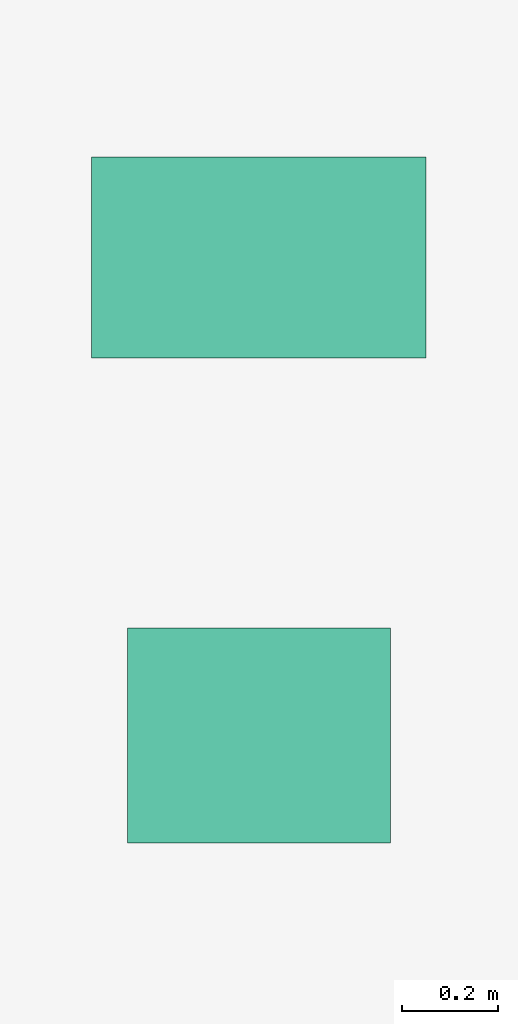
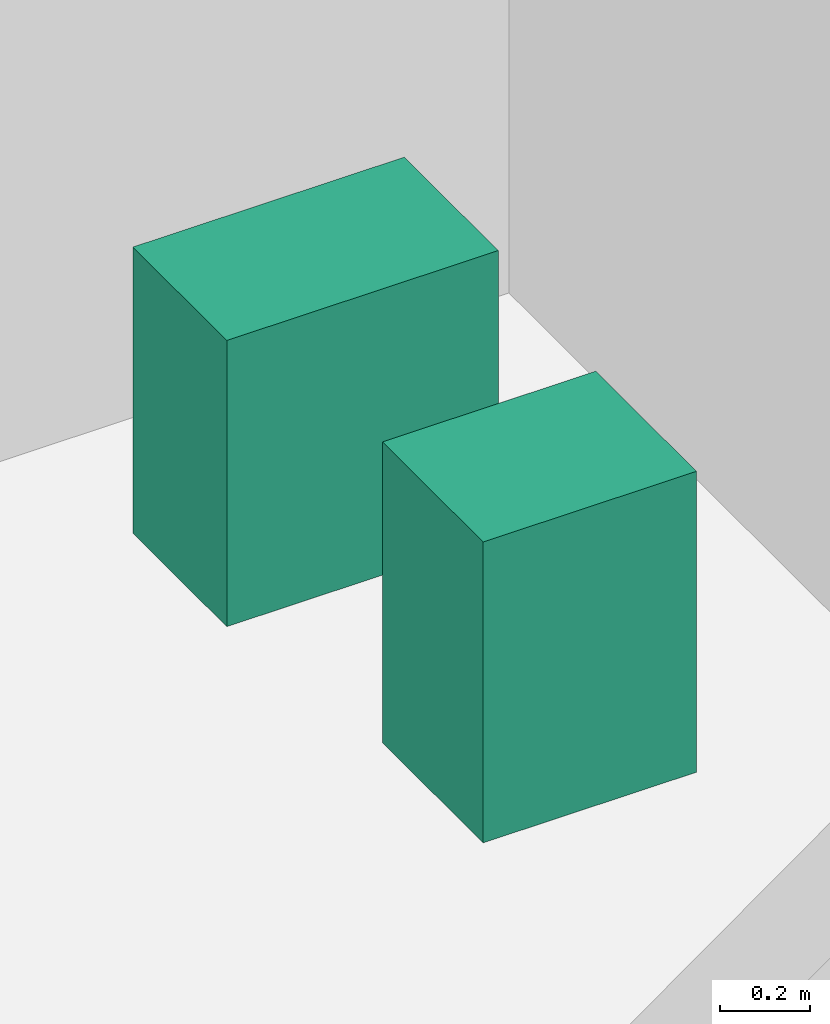
# One storey, part 27 of 27: 2 sanitary terminals.
"""IFC4 building model written with IfcOpenShell, lengths in metres."""

from ifc_helpers import new_model, si_unit, direction, frame, origin, origin_2d, place, context, subcontext, project, spatial, rectangle, extrude, source, transform, mapped, material, type_object, element, save


model = new_model("IFC4")

# Units and contexts
model_context = context("Model", 3, precision=1e-05, world=origin(), true_north=direction((0.0, 1.0)))
body_context = subcontext(model_context, "Body", "Model", "MODEL_VIEW")
ifc_project = project(units=[si_unit("LENGTHUNIT", "METRE"), si_unit("AREAUNIT", "SQUARE_METRE"), si_unit("VOLUMEUNIT", "CUBIC_METRE"), si_unit("PLANEANGLEUNIT", "RADIAN"), si_unit("MASSUNIT", "GRAM", prefix="KILO")], contexts=[model_context])

# Site, building, storey
site_placement = place(None, origin())
site = spatial("IfcSite", under=ifc_project, at=site_placement, CompositionType="ELEMENT")
building_placement = place(site_placement, origin())
building = spatial("IfcBuilding", under=site, at=building_placement, Name="Sumidabori Civic Tower", CompositionType="ELEMENT")
storey_placement = place(building_placement, frame((0.0, 0.0, 164.0)))
storey = spatial("IfcBuildingStorey", under=building, at=storey_placement, Name="L42", CompositionType="ELEMENT", Elevation=164.0)

# Sanitary terminals
ifc_material = material(Name="Vitreous Sanitary Porcelain")
sanitary_terminal_type_1 = type_object("IfcSanitaryTerminalType", Name="SN-WC-1", PredefinedType="TOILETPAN", material=ifc_material)
shared_shape_1 = source(origin(), body_context, "Body", "SweptSolid", [
    extrude(rectangle(XDim=0.699951171875, YDim=0.419921875, at=origin_2d()), origin(), (0.0, 0.0, 1.0), 0.780029296875),
])
sanitary_terminal_1_placement = place(storey_placement, frame((10.800048828125, 21.85009765625, 0.0), z_axis=(0.0, 0.0, 1.0), x_axis=(1.0, 0.0, 0.0)))
element("IfcSanitaryTerminal", 1, at=sanitary_terminal_1_placement, inside=storey, type_object=sanitary_terminal_type_1, Name="Accessible WC Pan L42", PredefinedType="TOILETPAN", context=body_context, shape_type="MappedRepresentation", body=[
    mapped(shared_shape_1, transform((0.0, 0.0, 0.0), x_axis=(1.0, 0.0, 0.0), y_axis=(0.0, 1.0, 0.0), z_axis=(0.0, 0.0, 1.0), scale=1.0)),
])
sanitary_terminal_type_2 = type_object("IfcSanitaryTerminalType", Name="SN-BAS-1", PredefinedType="WASHHANDBASIN", material=ifc_material)
shared_shape_2 = source(origin(), body_context, "Body", "SweptSolid", [
    extrude(rectangle(XDim=0.550048828125, YDim=0.449951171875, at=origin_2d()), origin(), (0.0, 0.0, 1.0), 0.820068359375),
])
sanitary_terminal_2_placement = place(storey_placement, frame((10.800048828125, 20.85009765625, 0.0), z_axis=(0.0, 0.0, 1.0), x_axis=(1.0, 0.0, 0.0)))
element("IfcSanitaryTerminal", 2, at=sanitary_terminal_2_placement, inside=storey, type_object=sanitary_terminal_type_2, Name="Accessible Basin L42", PredefinedType="WASHHANDBASIN", context=body_context, shape_type="MappedRepresentation", body=[
    mapped(shared_shape_2, transform((0.0, 0.0, 0.0), x_axis=(1.0, 0.0, 0.0), y_axis=(0.0, 1.0, 0.0), z_axis=(0.0, 0.0, 1.0), scale=1.0)),
])

save(model, "model.ifc")
